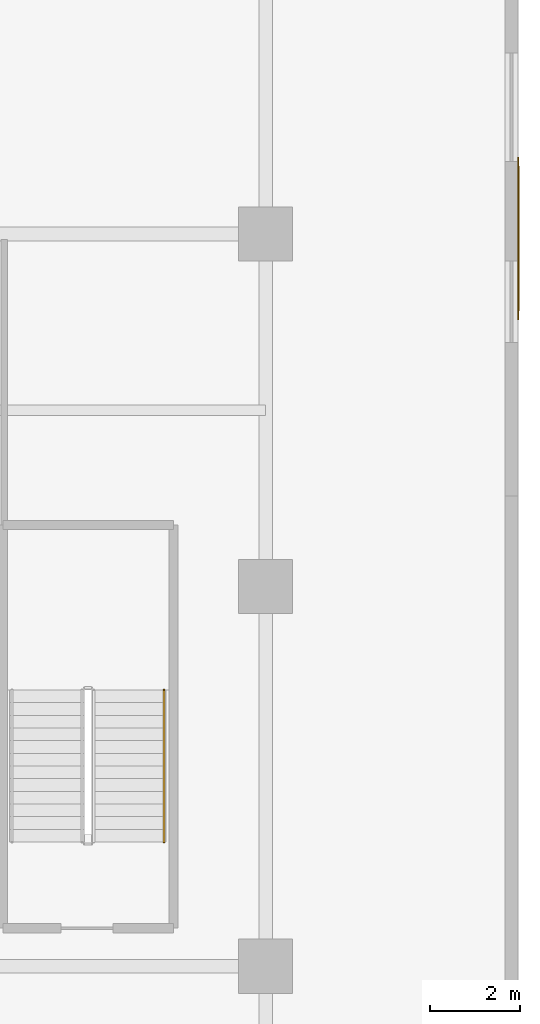
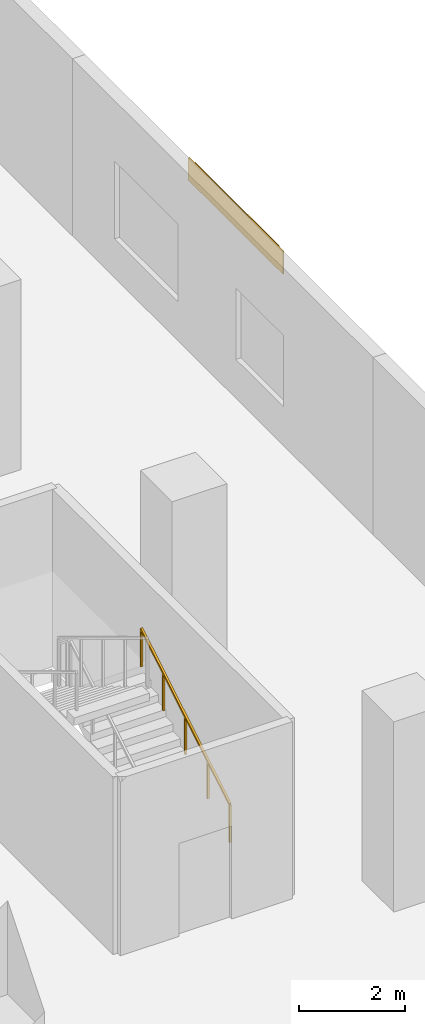
# One storey, part 22 of 23: 1 covering, 1 railing, 1 shading device.
"""IFC4 building model written with IfcOpenShell, lengths in metres."""

from ifc_helpers import new_model, si_unit, direction, frame, origin, origin_2d, place, context, subcontext, project, spatial, rectangle, extrude, source, transform, mapped, material, layer, layer_set, type_object, element, save


model = new_model("IFC4")

# Units and contexts
model_context = context("Model", 3, precision=1e-05, world=origin(), true_north=direction((0.0, 1.0)))
body_context = subcontext(model_context, "Body", "Model", "MODEL_VIEW")
ifc_project = project(units=[si_unit("LENGTHUNIT", "METRE"), si_unit("AREAUNIT", "SQUARE_METRE"), si_unit("VOLUMEUNIT", "CUBIC_METRE"), si_unit("PLANEANGLEUNIT", "RADIAN"), si_unit("MASSUNIT", "GRAM", prefix="KILO")], contexts=[model_context])

# Site, building, storey
site_placement = place(None, origin())
site = spatial("IfcSite", under=ifc_project, at=site_placement, CompositionType="ELEMENT")
building_placement = place(site_placement, origin())
building = spatial("IfcBuilding", under=site, at=building_placement, Name="Zarnakvel Exchange Tower", CompositionType="ELEMENT")
storey_placement = place(building_placement, frame((0.0, 0.0, 13.800048828125)))
storey = spatial("IfcBuildingStorey", under=building, at=storey_placement, Name="L03", CompositionType="ELEMENT", Elevation=13.800048828125)

# Railing
ifc_material_1 = material(Name="Brushed Stainless Steel", Category="steel")
railing_type = type_object("IfcRailingType", Name="HR-01", PredefinedType="HANDRAIL", material=ifc_material_1)
railing_placement = place(storey_placement, frame((28.35009765625, -6.85009765625, 0.169189453125)))
element("IfcRailing", 1, at=railing_placement, inside=storey, type_object=railing_type, Name="L03 ST-04 stair handrail 1", PredefinedType="HANDRAIL", context=body_context, shape_type="SweptSolid", body=[
    extrude(rectangle(XDim=0.048095703125, YDim=0.048095703125, at=origin_2d()), frame((0.0, 0.0, 0.8759765625), z_axis=(0.0, 0.855836976705, 0.517245656632), x_axis=(-1.0, 0.0, 0.0)), (0.0, 0.0, 1.0), 3.926025390625),
    extrude(rectangle(XDim=0.0419921875, YDim=0.0419921875, at=origin_2d()), origin(), (0.0, 0.0, 1.0), 0.851806640625),
    extrude(rectangle(XDim=0.0419921875, YDim=0.0419921875, at=origin_2d()), frame((0.0, 0.840087890625, 0.5078125)), (0.0, 0.0, 1.0), 0.851806640625),
    extrude(rectangle(XDim=0.0419921875, YDim=0.0419921875, at=origin_2d()), frame((0.0, 1.68017578125, 1.015380859375)), (0.0, 0.0, 1.0), 0.851806640625),
    extrude(rectangle(XDim=0.0419921875, YDim=0.0419921875, at=origin_2d()), frame((0.0, 2.52001953125, 1.52294921875)), (0.0, 0.0, 1.0), 0.851806640625),
    extrude(rectangle(XDim=0.0419921875, YDim=0.0419921875, at=origin_2d()), frame((0.0, 3.360107421875, 2.03076171875)), (0.0, 0.0, 1.0), 0.851806640625),
])

# Covering
ifc_material_2 = material(Name="Glazed Turquoise Ceramic Architectural Tile", Category="ceramic")
ifc_layer_1 = layer(ifc_material_2, 0.028076171875)
ifc_layer_set_1 = layer_set([ifc_layer_1], Name="Glazed Turquoise Ceramic Architectural Tile")
covering_type = type_object("IfcCoveringType", Name="CL-01", PredefinedType="CLADDING", material=ifc_layer_set_1)
shared_shape_1 = source(origin(), body_context, "Body", "SweptSolid", [
    extrude(rectangle(XDim=3.60009765625, YDim=0.028076171875, at=origin_2d()), origin(), (0.0, 0.0, 1.0), 0.52001953125),
])
covering_placement = place(storey_placement, frame((36.19189453125, 6.5, 3.56005859375), z_axis=(0.0, 0.0, 1.0), x_axis=(0.0, -1.0, 0.0)))
element("IfcCovering", 2, at=covering_placement, inside=storey, type_object=covering_type, Name="L03 Ceramic Spandrel Tilework CL-01", PredefinedType="CLADDING", context=body_context, shape_type="MappedRepresentation", body=[
    mapped(shared_shape_1, transform((0.0, 0.0, 0.0), x_axis=(1.0, 0.0, 0.0), y_axis=(0.0, 1.0, 0.0), z_axis=(0.0, 0.0, 1.0), scale=1.0)),
])

# Shading device
ifc_material_3 = material(Name="Perforated Architectural Bronze Screen", Category="aluminium")
ifc_layer_2 = layer(ifc_material_3, 0.044921875)
ifc_layer_set_2 = layer_set([ifc_layer_2], Name="Perforated Architectural Bronze Screen")
shading_device_type = type_object("IfcShadingDeviceType", Name="SS-01", PredefinedType="JALOUSIE", material=ifc_layer_set_2)
shared_shape_2 = source(origin(), body_context, "Body", "SweptSolid", [
    extrude(rectangle(XDim=3.199951171875, YDim=0.044921875, at=origin_2d()), origin(), (0.0, 0.0, 1.0), 0.52001953125),
])
shading_device_placement = place(storey_placement, frame((36.200439453125, 6.5, 3.56005859375), z_axis=(0.0, 0.0, 1.0), x_axis=(0.0, -1.0, 0.0)))
element("IfcShadingDevice", 3, at=shading_device_placement, inside=storey, type_object=shading_device_type, Name="L03 Bronze Solar Shading Screen SS-01", PredefinedType="JALOUSIE", context=body_context, shape_type="MappedRepresentation", body=[
    mapped(shared_shape_2, transform((0.0, 0.0, 0.0), x_axis=(1.0, 0.0, 0.0), y_axis=(0.0, 1.0, 0.0), z_axis=(0.0, 0.0, 1.0), scale=1.0)),
])

save(model, "model.ifc")
